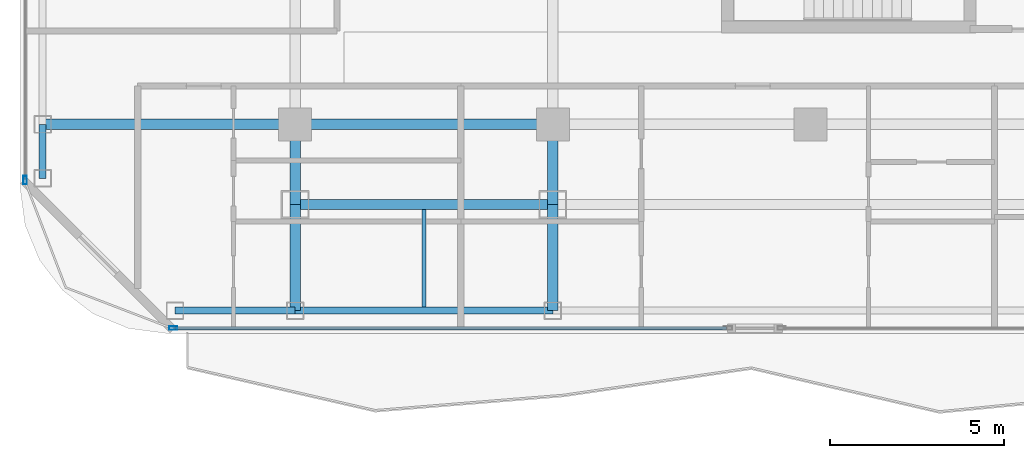
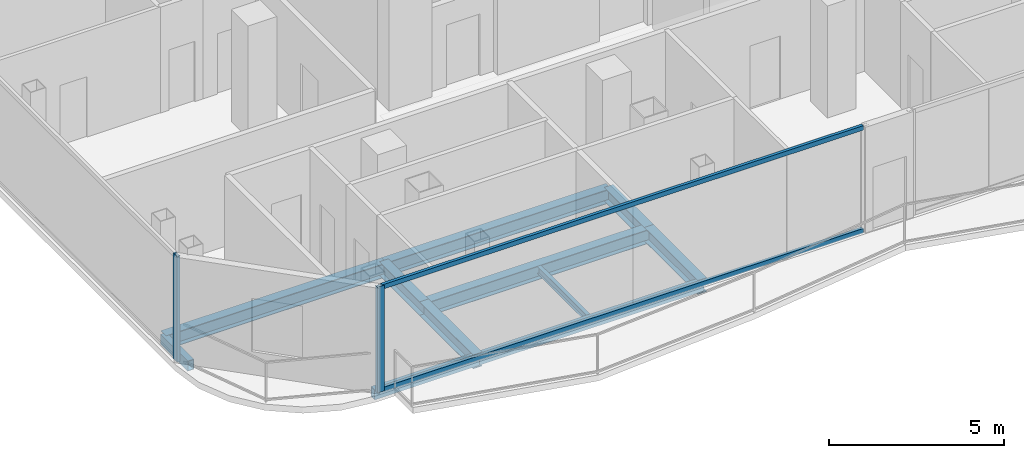
# One storey, part 2 of 23: 11 beams, 4 members, 2 elements without a shape of their own.
"""IFC4 building model written with IfcOpenShell, lengths in metres."""

from ifc_helpers import new_model, si_unit, direction, frame, origin, origin_2d, place, context, subcontext, project, spatial, hollow_rectangle, i_section, extrude, material, layer, layer_set, material_profile, profile_set, type_object, element, aggregate, save


model = new_model("IFC4")

# Units and contexts
model_context = context("Model", 3, precision=1e-05, world=origin(), true_north=direction((0.0, 1.0)))
body_context = subcontext(model_context, "Body", "Model", "MODEL_VIEW")
ifc_project = project(units=[si_unit("LENGTHUNIT", "METRE"), si_unit("AREAUNIT", "SQUARE_METRE"), si_unit("VOLUMEUNIT", "CUBIC_METRE"), si_unit("PLANEANGLEUNIT", "RADIAN"), si_unit("MASSUNIT", "GRAM", prefix="KILO")], contexts=[model_context])

# Site, building, storey
site_placement = place(None, origin())
site = spatial("IfcSite", under=ifc_project, at=site_placement, CompositionType="ELEMENT")
building_placement = place(site_placement, origin())
building = spatial("IfcBuilding", under=site, at=building_placement, Name="Khorvyn Point Tower", CompositionType="ELEMENT")
storey_placement = place(building_placement, frame((0.0, 0.0, 293.699951171875)))
storey = spatial("IfcBuildingStorey", under=building, at=storey_placement, Name="L72", CompositionType="ELEMENT", Elevation=293.699951171875)

# Curtain wall, member
ifc_material_1 = material(Name="Anodised aluminium 6063-T6 and laminated Low-E glass", Category="aluminium")
ifc_layer = layer(ifc_material_1, 0.18994140625)
ifc_layer_set = layer_set([ifc_layer], Name="Stick-Built High-Wind Curtain Wall CW-SYS-04")
curtain_wall_type = type_object("IfcCurtainWallType", Name="Stick-Built High-Wind Curtain Wall CW-SYS-04", PredefinedType="NOTDEFINED", material=ifc_layer_set)
curtain_wall_1_placement = place(storey_placement, origin())
curtain_wall_1 = element("IfcCurtainWall", 1, at=curtain_wall_1_placement, inside=storey, type_object=curtain_wall_type, Name="Curtain Wall", PredefinedType="NOTDEFINED")
ifc_material_2 = material(Name="Anodised aluminium 6063-T6", Category="aluminium")
ifc_material_profile_1 = material_profile(ifc_material_2, hollow_rectangle(XDim=0.10009765625, YDim=0.239990234375, WallThickness=0.0048828125, at=origin_2d()))
ifc_profile_set_1 = profile_set([ifc_material_profile_1], Name="Anodised aluminium 6063-T6 ALU-MUL-100x240")
member_type_1 = type_object("IfcMemberType", Name="Anodised Aluminium 6063-T6 Mullion ALU-MUL-100x240", PredefinedType="MULLION", material=ifc_profile_set_1)
member_1_placement = place(storey_placement, frame((-18.300048828125, -20.64990234375, 0.0), z_axis=(0.0, 0.0, 1.0), x_axis=(0.0, -1.0, 0.0)))
member_1 = element("IfcMember", 2, at=member_1_placement, type_object=member_type_1, Name="Transom", PredefinedType="MULLION", context=body_context, shape_type="SweptSolid", body=[
    extrude(hollow_rectangle(XDim=0.10009765625, YDim=0.239990234375, WallThickness=0.0048828125, at=origin_2d()), origin(), (0.0, 0.0, 1.0), 3.679931640625),
])

curtain_wall_2_placement = place(storey_placement, origin())
curtain_wall_2 = element("IfcCurtainWall", 3, at=curtain_wall_2_placement, inside=storey, type_object=curtain_wall_type, Name="Curtain Wall", PredefinedType="NOTDEFINED")
member_2_placement = place(storey_placement, frame((-22.550048828125, -16.39990234375, 0.0), z_axis=(0.0, 0.0, 1.0), x_axis=(-1.0, 0.0, 0.0)))
member_2 = element("IfcMember", 4, at=member_2_placement, type_object=member_type_1, Name="Transom", PredefinedType="MULLION", context=body_context, shape_type="SweptSolid", body=[
    extrude(hollow_rectangle(XDim=0.10009765625, YDim=0.239990234375, WallThickness=0.0048828125, at=origin_2d()), origin(), (0.0, 0.0, 1.0), 3.679931640625),
])
aggregate(curtain_wall_2, [member_2])

# Member
ifc_material_profile_2 = material_profile(ifc_material_2, hollow_rectangle(XDim=0.10009765625, YDim=0.159912109375, WallThickness=0.00439453125, at=origin_2d()))
ifc_profile_set_2 = profile_set([ifc_material_profile_2], Name="Anodised aluminium 6063-T6 ALU-TRN-100x160")
member_type_2 = type_object("IfcMemberType", Name="Anodised Aluminium 6063-T6 Transom ALU-TRN-100x160", PredefinedType="USERDEFINED", material=ifc_profile_set_2)
member_3_placement = place(storey_placement, frame((-2.4169921875, -20.64990234375, 0.050048828125), z_axis=(-1.0, 0.0, 0.0), x_axis=(0.0, -1.0, 0.0)))
member_3 = element("IfcMember", 5, at=member_3_placement, type_object=member_type_2, Name="Transom", ObjectType="TRANSOM", PredefinedType="USERDEFINED", context=body_context, shape_type="SweptSolid", body=[
    extrude(hollow_rectangle(XDim=0.10009765625, YDim=0.159912109375, WallThickness=0.00439453125, at=origin_2d()), origin(), (0.0, 0.0, 1.0), 15.8330078125),
])

member_4_placement = place(storey_placement, frame((-2.4169921875, -20.64990234375, 3.630126953125), z_axis=(-1.0, 0.0, 0.0), x_axis=(0.0, -1.0, 0.0)))
member_4 = element("IfcMember", 6, at=member_4_placement, type_object=member_type_2, Name="Transom", ObjectType="TRANSOM", PredefinedType="USERDEFINED", context=body_context, shape_type="SweptSolid", body=[
    extrude(hollow_rectangle(XDim=0.10009765625, YDim=0.159912109375, WallThickness=0.00439453125, at=origin_2d()), origin(), (0.0, 0.0, 1.0), 15.8330078125),
])

aggregate(curtain_wall_1, [member_1, member_3, member_4])

# Beams
ifc_material_3 = material(Name="Steel S355", Category="steel")
ifc_material_profile_3 = material_profile(ifc_material_3, i_section(OverallWidth=0.125, OverallDepth=0.25, WebThickness=0.006103515625, FlangeThickness=0.009033203125, at=origin_2d()))
ifc_profile_set_3 = profile_set([ifc_material_profile_3], Name="Steel S355 H250x125x6x9")
beam_type_1 = type_object("IfcBeamType", Name="Steel S355 Joist H250x125x6x9", PredefinedType="JOIST", material=ifc_profile_set_3)
beam_1_placement = place(storey_placement, frame((-11.10009765625, -20.050048828125, -0.344970703125), z_axis=(0.0, 1.0, 0.0), x_axis=(-1.0, 0.0, 0.0)))
element("IfcBeam", 7, at=beam_1_placement, inside=storey, type_object=beam_type_1, Name="Beam", PredefinedType="JOIST", context=body_context, shape_type="SweptSolid", body=[
    extrude(i_section(OverallWidth=0.125, OverallDepth=0.25, WebThickness=0.006103515625, FlangeThickness=0.009033203125, at=origin_2d()), origin(), (0.0, 0.0, 1.0), 2.800048828125),
])
ifc_material_profile_4 = material_profile(ifc_material_3, i_section(OverallWidth=0.300048828125, OverallDepth=0.488037109375, WebThickness=0.010986328125, FlangeThickness=0.01806640625, at=origin_2d()))
ifc_profile_set_4 = profile_set([ifc_material_profile_4], Name="Steel S355 H488x300x11x18")
beam_type_2 = type_object("IfcBeamType", Name="Steel S355 Spandrel H488x300x11x18", PredefinedType="SPANDREL", material=ifc_profile_set_4)
beam_2_placement = place(storey_placement, frame((-22.050048828125, -14.800048828125, -0.4638671875), z_axis=(1.0, 0.0, 0.0), x_axis=(0.0, 1.0, 0.0)))
element("IfcBeam", 8, at=beam_2_placement, inside=storey, type_object=beam_type_2, Name="Beam", PredefinedType="SPANDREL", context=body_context, shape_type="SweptSolid", body=[
    extrude(i_section(OverallWidth=0.300048828125, OverallDepth=0.488037109375, WebThickness=0.010986328125, FlangeThickness=0.01806640625, at=origin_2d()), origin(), (0.0, 0.0, 1.0), 7.25),
])
for number, where, z_axis, x_axis, name in (
    (9, (-14.800048828125, -14.800048828125, -0.4638671875), (1.0, 0.0, 0.0), (0.0, 1.0, 0.0), "Beam"),
    (10, (-14.800048828125, -17.10009765625, -0.4638671875), (1.0, 0.0, 0.0), (0.0, 1.0, 0.0), "Beam"),
):
    element("IfcBeam", number, at=place(storey_placement, frame(where, z_axis=z_axis, x_axis=x_axis)), inside=storey, type_object=beam_type_2, Name=name, PredefinedType="SPANDREL", context=body_context, shape_type="SweptSolid", body=[
        extrude(i_section(OverallWidth=0.300048828125, OverallDepth=0.488037109375, WebThickness=0.010986328125, FlangeThickness=0.01806640625, at=origin_2d()), origin(), (0.0, 0.0, 1.0), 7.400146484375),
    ])
beam_3_placement = place(storey_placement, frame((-14.800048828125, -20.14990234375, -0.4638671875), z_axis=(0.0, 1.0, 0.0), x_axis=(-1.0, 0.0, 0.0)))
element("IfcBeam", 11, at=beam_3_placement, inside=storey, type_object=beam_type_2, Name="Beam", PredefinedType="SPANDREL", context=body_context, shape_type="SweptSolid", body=[
    extrude(i_section(OverallWidth=0.300048828125, OverallDepth=0.488037109375, WebThickness=0.010986328125, FlangeThickness=0.01806640625, at=origin_2d()), origin(), (0.0, 0.0, 1.0), 3.0498046875),
])
beam_4_placement = place(storey_placement, frame((-14.800048828125, -17.10009765625, -0.4638671875), z_axis=(0.0, 1.0, 0.0), x_axis=(-1.0, 0.0, 0.0)))
element("IfcBeam", 12, at=beam_4_placement, inside=storey, type_object=beam_type_2, Name="Beam", PredefinedType="SPANDREL", context=body_context, shape_type="SweptSolid", body=[
    extrude(i_section(OverallWidth=0.300048828125, OverallDepth=0.488037109375, WebThickness=0.010986328125, FlangeThickness=0.01806640625, at=origin_2d()), origin(), (0.0, 0.0, 1.0), 2.300048828125),
])
beam_5_placement = place(storey_placement, frame((-7.39990234375, -20.14990234375, -0.4638671875), z_axis=(0.0, 1.0, 0.0), x_axis=(-1.0, 0.0, 0.0)))
element("IfcBeam", 13, at=beam_5_placement, inside=storey, type_object=beam_type_2, Name="Beam", PredefinedType="SPANDREL", context=body_context, shape_type="SweptSolid", body=[
    extrude(i_section(OverallWidth=0.300048828125, OverallDepth=0.488037109375, WebThickness=0.010986328125, FlangeThickness=0.01806640625, at=origin_2d()), origin(), (0.0, 0.0, 1.0), 3.0498046875),
])
beam_6_placement = place(storey_placement, frame((-7.39990234375, -17.10009765625, -0.4638671875), z_axis=(0.0, 1.0, 0.0), x_axis=(-1.0, 0.0, 0.0)))
element("IfcBeam", 14, at=beam_6_placement, inside=storey, type_object=beam_type_2, Name="Beam", PredefinedType="SPANDREL", context=body_context, shape_type="SweptSolid", body=[
    extrude(i_section(OverallWidth=0.300048828125, OverallDepth=0.488037109375, WebThickness=0.010986328125, FlangeThickness=0.01806640625, at=origin_2d()), origin(), (0.0, 0.0, 1.0), 2.300048828125),
])
ifc_material_profile_5 = material_profile(ifc_material_3, hollow_rectangle(XDim=0.199951171875, YDim=0.35009765625, WallThickness=0.013916015625, at=origin_2d()))
ifc_profile_set_5 = profile_set([ifc_material_profile_5], Name="Steel S355 RHS350x200x14")
beam_type_3 = type_object("IfcBeamType", Name="Steel S355 Spandrel RHS350x200x14", PredefinedType="SPANDREL", material=ifc_profile_set_5)
beam_7_placement = place(storey_placement, frame((-18.25, -20.14990234375, -0.39501953125), z_axis=(1.0, 0.0, 0.0), x_axis=(0.0, 1.0, 0.0)))
element("IfcBeam", 15, at=beam_7_placement, inside=storey, type_object=beam_type_3, Name="Beam", PredefinedType="SPANDREL", context=body_context, shape_type="SweptSolid", body=[
    extrude(hollow_rectangle(XDim=0.199951171875, YDim=0.35009765625, WallThickness=0.013916015625, at=origin_2d()), origin(), (0.0, 0.0, 1.0), 3.449951171875),
])
beam_8_placement = place(storey_placement, frame((-14.800048828125, -20.14990234375, -0.39501953125), z_axis=(1.0, 0.0, 0.0), x_axis=(0.0, 1.0, 0.0)))
element("IfcBeam", 16, at=beam_8_placement, inside=storey, type_object=beam_type_3, Name="Beam", PredefinedType="SPANDREL", context=body_context, shape_type="SweptSolid", body=[
    extrude(hollow_rectangle(XDim=0.199951171875, YDim=0.35009765625, WallThickness=0.013916015625, at=origin_2d()), origin(), (0.0, 0.0, 1.0), 7.400146484375),
])
beam_9_placement = place(storey_placement, frame((-22.050048828125, -16.35009765625, -0.39501953125), z_axis=(0.0, 1.0, 0.0), x_axis=(-1.0, 0.0, 0.0)))
element("IfcBeam", 17, at=beam_9_placement, inside=storey, type_object=beam_type_3, Name="Beam", PredefinedType="SPANDREL", context=body_context, shape_type="SweptSolid", body=[
    extrude(hollow_rectangle(XDim=0.199951171875, YDim=0.35009765625, WallThickness=0.013916015625, at=origin_2d()), origin(), (0.0, 0.0, 1.0), 1.550048828125),
])

save(model, "model.ifc")
